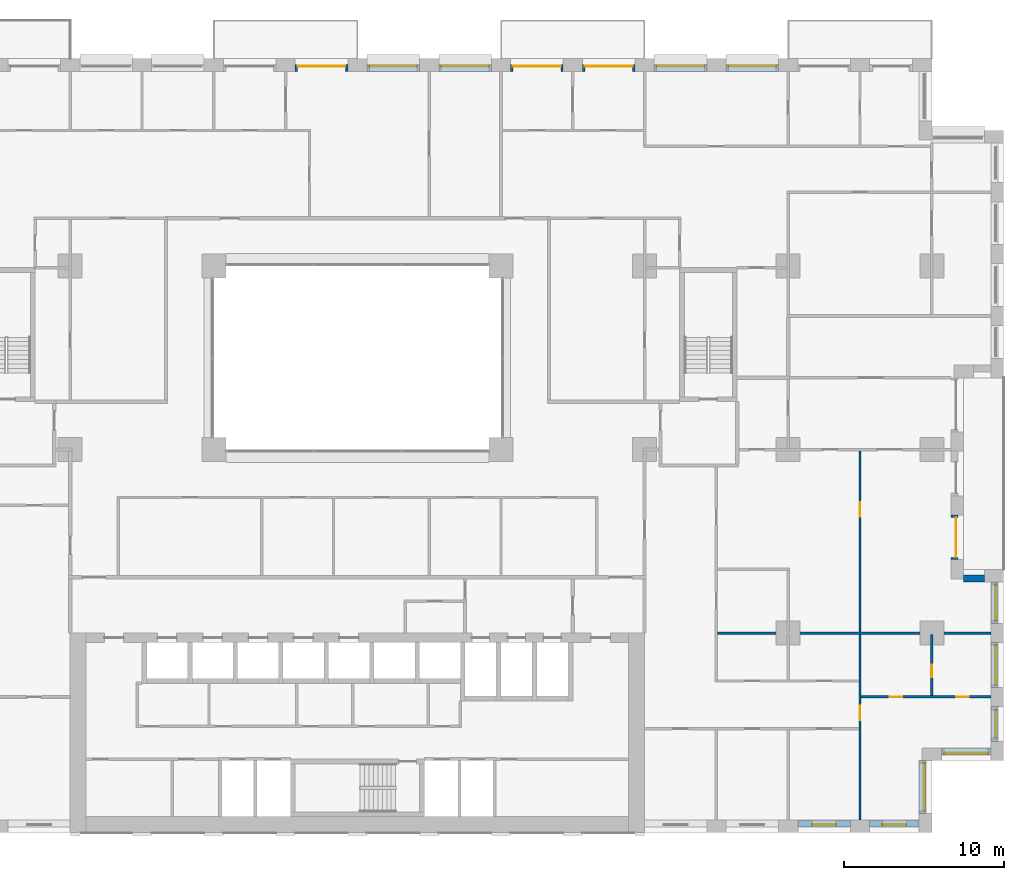
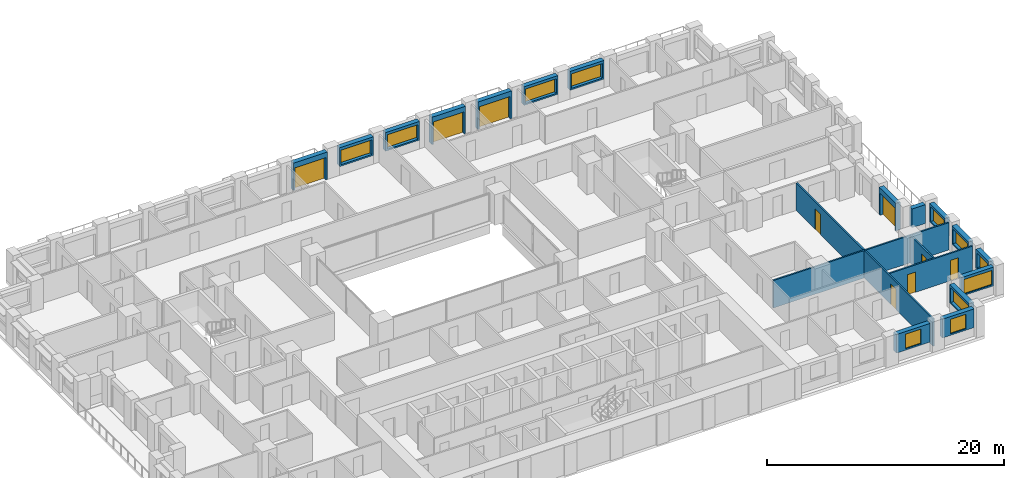
# One storey, part 17 of 21: 21 walls, 11 windows, 9 doors, 20 openings.
"""IFC4 building model written with IfcOpenShell, lengths in metres."""

from ifc_helpers import new_model, si_unit, direction, frame, frame_2d, origin, place, context, subcontext, project, spatial, rectangle, extrude, material, layer, layer_set, type_object, element, fill, save


model = new_model("IFC4")

# Units and contexts
model_context = context("Model", 3, precision=1e-05, world=origin(), true_north=direction((0.0, 1.0)))
body_context = subcontext(model_context, "Body", "Model", "MODEL_VIEW")
ifc_project = project(units=[si_unit("LENGTHUNIT", "METRE"), si_unit("AREAUNIT", "SQUARE_METRE"), si_unit("VOLUMEUNIT", "CUBIC_METRE"), si_unit("PLANEANGLEUNIT", "RADIAN"), si_unit("MASSUNIT", "GRAM", prefix="KILO")], contexts=[model_context])

# Site, building, storey
site_placement = place(None, origin())
site = spatial("IfcSite", under=ifc_project, at=site_placement, CompositionType="ELEMENT")
building_placement = place(site_placement, origin())
building = spatial("IfcBuilding", under=site, at=building_placement, Name="Brigalow Station Residences", CompositionType="ELEMENT")
storey_placement = place(building_placement, frame((0.0, 0.0, 51.0)))
storey = spatial("IfcBuildingStorey", under=building, at=storey_placement, Name="L14", CompositionType="ELEMENT", Elevation=51.0)

# Wall, opening, window
ifc_material_1 = material(Name="Clay brick masonry", Category="masonry")
ifc_layer_1 = layer(ifc_material_1, 0.449951171875)
ifc_layer_set_1 = layer_set([ifc_layer_1], Name="BRICK INFILL WALL 450")
wall_type_1 = type_object("IfcWallType", Name="BRICK INFILL WALL 450", PredefinedType="SOLIDWALL", material=ifc_layer_set_1)
wall_1_placement = place(storey_placement, frame((63.60009765625, 0.574951171875, 0.89990234375), z_axis=(0.0, 0.0, 1.0), x_axis=(1.0, 0.0, 0.0)))
wall_1 = element("IfcWall", 1, at=wall_1_placement, inside=storey, type_object=wall_type_1, Name="L14/ewall/W-L14-7", PredefinedType="SOLIDWALL", context=body_context, shape_type="SweptSolid", body=[
    extrude(rectangle(XDim=3.2998046875, YDim=0.449951171875, at=frame_2d((1.64990234375, 0.0))), origin(), (0.0, 0.0, 1.0), 1.93017578125),
])
opening_1_placement = place(wall_1_placement, frame((0.89990234375, 0.0, 0.14990234375)))
opening_1 = element("IfcOpeningElement", 2, at=opening_1_placement, cuts=wall_1, Name="Opening WT-1", PredefinedType="OPENING", context=body_context, shape_type="SweptSolid", body=[
    extrude(rectangle(XDim=1.5, YDim=1.5, at=frame_2d((0.75, 0.75))), frame((0.0, 0.23486328125, 0.0), z_axis=(0.0, -1.0, 0.0), x_axis=(1.0, 0.0, 0.0)), (0.0, 0.0, 1.0), 0.469970703125),
])
ifc_material_2 = material(Name="Anodised aluminium frame with double glazing", Category="aluminium")
window_type_1 = type_object("IfcWindowType", Name="WINDOW 1500x1500", PartitioningType="SINGLE_PANEL", PredefinedType="WINDOW", material=ifc_material_2)
window_1_placement = place(opening_1_placement, origin())
window_1 = element("IfcWindow", 3, at=window_1_placement, inside=storey, type_object=window_type_1, Name="L14/window/W-L14-7", OverallHeight=1.5, OverallWidth=1.5, PartitioningType="SINGLE_PANEL", PredefinedType="WINDOW", context=body_context, shape_type="SweptSolid", body=[
    extrude(rectangle(XDim=1.5, YDim=1.5, at=frame_2d((0.75, 0.75))), frame((0.0, -0.06494140625, 0.0), z_axis=(0.0, -1.0, 0.0), x_axis=(1.0, 0.0, 0.0)), (0.0, 0.0, 1.0), 0.06005859375),
])
fill(opening_1, window_1)

wall_2_placement = place(storey_placement, frame((68.10009765625, 0.574951171875, 0.89990234375), z_axis=(0.0, 0.0, 1.0), x_axis=(1.0, 0.0, 0.0)))
wall_2 = element("IfcWall", 4, at=wall_2_placement, inside=storey, type_object=wall_type_1, Name="L14/ewall/W-L14-8", PredefinedType="SOLIDWALL", context=body_context, shape_type="SweptSolid", body=[
    extrude(rectangle(XDim=3.099853515625, YDim=0.449951171875, at=frame_2d((1.5498046875, 0.0))), origin(), (0.0, 0.0, 1.0), 1.93017578125),
])
opening_2_placement = place(wall_2_placement, frame((0.800048828125, 0.0, 0.14990234375)))
opening_2 = element("IfcOpeningElement", 5, at=opening_2_placement, cuts=wall_2, Name="Opening WT-1", PredefinedType="OPENING", context=body_context, shape_type="SweptSolid", body=[
    extrude(rectangle(XDim=1.5, YDim=1.5, at=frame_2d((0.75, 0.75))), frame((0.0, 0.23486328125, 0.0), z_axis=(0.0, -1.0, 0.0), x_axis=(1.0, 0.0, 0.0)), (0.0, 0.0, 1.0), 0.469970703125),
])
window_2_placement = place(opening_2_placement, origin())
window_2 = element("IfcWindow", 6, at=window_2_placement, inside=storey, type_object=window_type_1, Name="L14/window/W-L14-8", OverallHeight=1.5, OverallWidth=1.5, PartitioningType="SINGLE_PANEL", PredefinedType="WINDOW", context=body_context, shape_type="SweptSolid", body=[
    extrude(rectangle(XDim=1.5, YDim=1.5, at=frame_2d((0.75, 0.75))), frame((0.0, -0.06494140625, 0.0), z_axis=(0.0, -1.0, 0.0), x_axis=(1.0, 0.0, 0.0)), (0.0, 0.0, 1.0), 0.06005859375),
])
fill(opening_2, window_2)

wall_3_placement = place(storey_placement, frame((71.425048828125, 1.199951171875, 0.89990234375), z_axis=(0.0, 0.0, 1.0), x_axis=(0.0, 1.0, 0.0)))
wall_3 = element("IfcWall", 7, at=wall_3_placement, inside=storey, type_object=wall_type_1, Name="L14/ewall/W-L14-9", PredefinedType="SOLIDWALL", context=body_context, shape_type="SweptSolid", body=[
    extrude(rectangle(XDim=3.300048828125, YDim=0.449951171875, at=frame_2d((1.64990234375, 0.0))), origin(), (0.0, 0.0, 1.0), 1.93017578125),
])
opening_3_placement = place(wall_3_placement, frame((0.14990234375, 0.0, 0.14990234375)))
opening_3 = element("IfcOpeningElement", 8, at=opening_3_placement, cuts=wall_3, Name="Opening WT-2", PredefinedType="OPENING", context=body_context, shape_type="SweptSolid", body=[
    extrude(rectangle(XDim=3.0, YDim=1.5, at=frame_2d((1.5, 0.75))), frame((0.0, 0.23486328125, 0.0), z_axis=(0.0, -1.0, 0.0), x_axis=(1.0, 0.0, 0.0)), (0.0, 0.0, 1.0), 0.469970703125),
])
ifc_material_3 = material(Name="Anodised aluminium frame with double glazing", Category="aluminium")
window_type_2 = type_object("IfcWindowType", Name="WINDOW 3000x1500", PartitioningType="SINGLE_PANEL", PredefinedType="WINDOW", material=ifc_material_3)
window_3_placement = place(opening_3_placement, origin())
window_3 = element("IfcWindow", 9, at=window_3_placement, inside=storey, type_object=window_type_2, Name="L14/window/W-L14-9", OverallHeight=1.5, OverallWidth=3.0, PartitioningType="SINGLE_PANEL", PredefinedType="WINDOW", context=body_context, shape_type="SweptSolid", body=[
    extrude(rectangle(XDim=3.0, YDim=1.5, at=frame_2d((1.5, 0.75))), frame((0.0, -0.06494140625, 0.0), z_axis=(0.0, -1.0, 0.0), x_axis=(1.0, 0.0, 0.0)), (0.0, 0.0, 1.0), 0.06005859375),
])
fill(opening_3, window_3)

wall_4_placement = place(storey_placement, frame((72.60009765625, 5.074951171875, 0.89990234375), z_axis=(0.0, 0.0, 1.0), x_axis=(1.0, 0.0, 0.0)))
wall_4 = element("IfcWall", 10, at=wall_4_placement, inside=storey, type_object=wall_type_1, Name="L14/ewall/W-L14-10", PredefinedType="SOLIDWALL", context=body_context, shape_type="SweptSolid", body=[
    extrude(rectangle(XDim=3.099853515625, YDim=0.449951171875, at=frame_2d((1.5498046875, 0.0))), origin(), (0.0, 0.0, 1.0), 1.93017578125),
])
opening_4_placement = place(wall_4_placement, frame((0.175048828125, 0.0, 0.14990234375)))
opening_4 = element("IfcOpeningElement", 11, at=opening_4_placement, cuts=wall_4, Name="Opening WT-3", PredefinedType="OPENING", context=body_context, shape_type="SweptSolid", body=[
    extrude(rectangle(XDim=2.75, YDim=1.5, at=frame_2d((1.375, 0.75))), frame((0.0, 0.23486328125, 0.0), z_axis=(0.0, -1.0, 0.0), x_axis=(1.0, 0.0, 0.0)), (0.0, 0.0, 1.0), 0.469970703125),
])
ifc_material_4 = material(Name="Anodised aluminium frame with double glazing", Category="aluminium")
window_type_3 = type_object("IfcWindowType", Name="WINDOW 2750x1500", PartitioningType="SINGLE_PANEL", PredefinedType="WINDOW", material=ifc_material_4)
window_4_placement = place(opening_4_placement, origin())
window_4 = element("IfcWindow", 12, at=window_4_placement, inside=storey, type_object=window_type_3, Name="L14/window/W-L14-10", OverallHeight=1.5, OverallWidth=2.75, PartitioningType="SINGLE_PANEL", PredefinedType="WINDOW", context=body_context, shape_type="SweptSolid", body=[
    extrude(rectangle(XDim=2.75, YDim=1.5, at=frame_2d((1.375, 0.75))), frame((0.0, -0.06494140625, 0.0), z_axis=(0.0, -1.0, 0.0), x_axis=(1.0, 0.0, 0.0)), (0.0, 0.0, 1.0), 0.06005859375),
])
fill(opening_4, window_4)

wall_5_placement = place(storey_placement, frame((75.925048828125, 5.699951171875, 0.89990234375), z_axis=(0.0, 0.0, 1.0), x_axis=(0.0, 1.0, 0.0)))
wall_5 = element("IfcWall", 13, at=wall_5_placement, inside=storey, type_object=wall_type_1, Name="L14/ewall/W-L14-11", PredefinedType="SOLIDWALL", context=body_context, shape_type="SweptSolid", body=[
    extrude(rectangle(XDim=2.199951171875, YDim=0.449951171875, at=frame_2d((1.10009765625, 0.0))), origin(), (0.0, 0.0, 1.0), 1.93017578125),
])
opening_5_placement = place(wall_5_placement, frame((0.22509765625, 0.0, 0.14990234375)))
opening_5 = element("IfcOpeningElement", 14, at=opening_5_placement, cuts=wall_5, Name="Opening WT-4", PredefinedType="OPENING", context=body_context, shape_type="SweptSolid", body=[
    extrude(rectangle(XDim=1.75, YDim=1.5, at=frame_2d((0.875, 0.75))), frame((0.0, 0.23486328125, 0.0), z_axis=(0.0, -1.0, 0.0), x_axis=(1.0, 0.0, 0.0)), (0.0, 0.0, 1.0), 0.469970703125),
])
ifc_material_5 = material(Name="Anodised aluminium frame with double glazing", Category="aluminium")
window_type_4 = type_object("IfcWindowType", Name="WINDOW 1750x1500", PartitioningType="SINGLE_PANEL", PredefinedType="WINDOW", material=ifc_material_5)
window_5_placement = place(opening_5_placement, origin())
window_5 = element("IfcWindow", 15, at=window_5_placement, inside=storey, type_object=window_type_4, Name="L14/window/W-L14-11", OverallHeight=1.5, OverallWidth=1.75, PartitioningType="SINGLE_PANEL", PredefinedType="WINDOW", context=body_context, shape_type="SweptSolid", body=[
    extrude(rectangle(XDim=1.75, YDim=1.5, at=frame_2d((0.875, 0.75))), frame((0.0, -0.06494140625, 0.0), z_axis=(0.0, -1.0, 0.0), x_axis=(1.0, 0.0, 0.0)), (0.0, 0.0, 1.0), 0.06005859375),
])
fill(opening_5, window_5)

wall_6_placement = place(storey_placement, frame((75.925048828125, 9.10009765625, 0.89990234375), z_axis=(0.0, 0.0, 1.0), x_axis=(0.0, 1.0, 0.0)))
wall_6 = element("IfcWall", 16, at=wall_6_placement, inside=storey, type_object=wall_type_1, Name="L14/ewall/W-L14-12", PredefinedType="SOLIDWALL", context=body_context, shape_type="SweptSolid", body=[
    extrude(rectangle(XDim=2.7998046875, YDim=0.449951171875, at=frame_2d((1.39990234375, 0.0))), origin(), (0.0, 0.0, 1.0), 1.93017578125),
])
opening_6_placement = place(wall_6_placement, frame((0.14990234375, 0.0, 0.14990234375)))
opening_6 = element("IfcOpeningElement", 17, at=opening_6_placement, cuts=wall_6, Name="Opening WT-5", PredefinedType="OPENING", context=body_context, shape_type="SweptSolid", body=[
    extrude(rectangle(XDim=2.5, YDim=1.5, at=frame_2d((1.25, 0.75))), frame((0.0, 0.23486328125, 0.0), z_axis=(0.0, -1.0, 0.0), x_axis=(1.0, 0.0, 0.0)), (0.0, 0.0, 1.0), 0.469970703125),
])
ifc_material_6 = material(Name="Anodised aluminium frame with double glazing", Category="aluminium")
window_type_5 = type_object("IfcWindowType", Name="WINDOW 2500x1500", PartitioningType="SINGLE_PANEL", PredefinedType="WINDOW", material=ifc_material_6)
window_6_placement = place(opening_6_placement, origin())
window_6 = element("IfcWindow", 18, at=window_6_placement, inside=storey, type_object=window_type_5, Name="L14/window/W-L14-12", OverallHeight=1.5, OverallWidth=2.5, PartitioningType="SINGLE_PANEL", PredefinedType="WINDOW", context=body_context, shape_type="SweptSolid", body=[
    extrude(rectangle(XDim=2.5, YDim=1.5, at=frame_2d((1.25, 0.75))), frame((0.0, -0.06494140625, 0.0), z_axis=(0.0, -1.0, 0.0), x_axis=(1.0, 0.0, 0.0)), (0.0, 0.0, 1.0), 0.06005859375),
])
fill(opening_6, window_6)

wall_7_placement = place(storey_placement, frame((75.925048828125, 13.10009765625, 0.89990234375), z_axis=(0.0, 0.0, 1.0), x_axis=(0.0, 1.0, 0.0)))
wall_7 = element("IfcWall", 19, at=wall_7_placement, inside=storey, type_object=wall_type_1, Name="L14/ewall/W-L14-13", PredefinedType="SOLIDWALL", context=body_context, shape_type="SweptSolid", body=[
    extrude(rectangle(XDim=2.599853515625, YDim=0.449951171875, at=frame_2d((1.2998046875, 0.0))), origin(), (0.0, 0.0, 1.0), 1.93017578125),
])
opening_7_placement = place(wall_7_placement, frame((0.175048828125, 0.0, 0.14990234375)))
opening_7 = element("IfcOpeningElement", 20, at=opening_7_placement, cuts=wall_7, Name="Opening WT-6", PredefinedType="OPENING", context=body_context, shape_type="SweptSolid", body=[
    extrude(rectangle(XDim=2.25, YDim=1.5, at=frame_2d((1.125, 0.75))), frame((0.0, 0.23486328125, 0.0), z_axis=(0.0, -1.0, 0.0), x_axis=(1.0, 0.0, 0.0)), (0.0, 0.0, 1.0), 0.469970703125),
])
ifc_material_7 = material(Name="Anodised aluminium frame with double glazing", Category="aluminium")
window_type_6 = type_object("IfcWindowType", Name="WINDOW 2250x1500", PartitioningType="SINGLE_PANEL", PredefinedType="WINDOW", material=ifc_material_7)
window_7_placement = place(opening_7_placement, origin())
window_7 = element("IfcWindow", 21, at=window_7_placement, inside=storey, type_object=window_type_6, Name="L14/window/W-L14-13", OverallHeight=1.5, OverallWidth=2.25, PartitioningType="SINGLE_PANEL", PredefinedType="WINDOW", context=body_context, shape_type="SweptSolid", body=[
    extrude(rectangle(XDim=2.25, YDim=1.5, at=frame_2d((1.125, 0.75))), frame((0.0, -0.06494140625, 0.0), z_axis=(0.0, -1.0, 0.0), x_axis=(1.0, 0.0, 0.0)), (0.0, 0.0, 1.0), 0.06005859375),
])
fill(opening_7, window_7)

# Wall
wall_8_placement = place(storey_placement, frame((75.300048828125, 15.925048828125, 0.89990234375), z_axis=(0.0, 0.0, 1.0), x_axis=(-1.0, 0.0, 0.0)))
element("IfcWall", 22, at=wall_8_placement, inside=storey, type_object=wall_type_1, Name="L14/ewall/W-L14-14", PredefinedType="SOLIDWALL", context=body_context, shape_type="SweptSolid", body=[
    extrude(rectangle(XDim=1.300048828125, YDim=0.449951171875, at=frame_2d((0.64990234375, 0.0))), origin(), (0.0, 0.0, 1.0), 1.93017578125),
])

# Wall, opening, door
wall_9_placement = place(storey_placement, frame((73.425048828125, 17.10009765625, 0.0), z_axis=(0.0, 0.0, 1.0), x_axis=(0.0, 1.0, 0.0)))
wall_9 = element("IfcWall", 23, at=wall_9_placement, inside=storey, type_object=wall_type_1, Name="L14/ewall/W-L14-15", PredefinedType="SOLIDWALL", context=body_context, shape_type="SweptSolid", body=[
    extrude(rectangle(XDim=2.7998046875, YDim=0.449951171875, at=frame_2d((1.39990234375, 0.0))), origin(), (0.0, 0.0, 1.0), 2.830078125),
])
opening_8_placement = place(wall_9_placement, frame((0.14990234375, 0.0, 0.0)))
opening_8 = element("IfcOpeningElement", 24, at=opening_8_placement, cuts=wall_9, Name="Opening D-B2500", PredefinedType="OPENING", context=body_context, shape_type="SweptSolid", body=[
    extrude(rectangle(XDim=2.5, YDim=2.300048828125, at=frame_2d((1.25, 1.14990234375))), frame((0.0, 0.23486328125, 0.0), z_axis=(0.0, -1.0, 0.0), x_axis=(1.0, 0.0, 0.0)), (0.0, 0.0, 1.0), 0.469970703125),
])
ifc_material_8 = material(Name="Anodised aluminium frame with double glazing", Category="aluminium")
door_type_1 = type_object("IfcDoorType", Name="BALCONY SLIDING DOOR 2500x2300", OperationType="SLIDING_TO_LEFT", PredefinedType="DOOR", material=ifc_material_8)
door_1_placement = place(opening_8_placement, origin())
door_1 = element("IfcDoor", 25, at=door_1_placement, inside=storey, type_object=door_type_1, Name="L14/balcony-door/W-L14-15", OperationType="SLIDING_TO_LEFT", OverallHeight=2.300048828125, OverallWidth=2.5, PredefinedType="DOOR", context=body_context, shape_type="SweptSolid", body=[
    extrude(rectangle(XDim=2.5, YDim=2.300048828125, at=frame_2d((1.25, 1.14990234375))), frame((0.0, -0.06982421875, 0.0), z_axis=(0.0, -1.0, 0.0), x_axis=(1.0, 0.0, 0.0)), (0.0, 0.0, 1.0), 0.050048828125),
])
fill(opening_8, door_1)

# Wall, opening, window
wall_10_placement = place(storey_placement, frame((62.39990234375, 47.925048828125, 0.89990234375), z_axis=(0.0, 0.0, 1.0), x_axis=(-1.0, 0.0, 0.0)))
wall_10 = element("IfcWall", 26, at=wall_10_placement, inside=storey, type_object=wall_type_1, Name="L14/ewall/W-L14-27", PredefinedType="SOLIDWALL", context=body_context, shape_type="SweptSolid", body=[
    extrude(rectangle(XDim=3.2998046875, YDim=0.449951171875, at=frame_2d((1.64990234375, 0.0))), origin(), (0.0, 0.0, 1.0), 1.93017578125),
])
opening_9_placement = place(wall_10_placement, frame((0.14990234375, 0.0, 0.14990234375)))
opening_9 = element("IfcOpeningElement", 27, at=opening_9_placement, cuts=wall_10, Name="Opening WT-2", PredefinedType="OPENING", context=body_context, shape_type="SweptSolid", body=[
    extrude(rectangle(XDim=3.0, YDim=1.5, at=frame_2d((1.5, 0.75))), frame((0.0, 0.23486328125, 0.0), z_axis=(0.0, -1.0, 0.0), x_axis=(1.0, 0.0, 0.0)), (0.0, 0.0, 1.0), 0.469970703125),
])
window_8_placement = place(opening_9_placement, origin())
window_8 = element("IfcWindow", 28, at=window_8_placement, inside=storey, type_object=window_type_2, Name="L14/window/W-L14-27", OverallHeight=1.5, OverallWidth=3.0, PartitioningType="SINGLE_PANEL", PredefinedType="WINDOW", context=body_context, shape_type="SweptSolid", body=[
    extrude(rectangle(XDim=3.0, YDim=1.5, at=frame_2d((1.5, 0.75))), frame((0.0, -0.06494140625, 0.0), z_axis=(0.0, -1.0, 0.0), x_axis=(1.0, 0.0, 0.0)), (0.0, 0.0, 1.0), 0.06005859375),
])
fill(opening_9, window_8)

wall_11_placement = place(storey_placement, frame((57.89990234375, 47.925048828125, 0.89990234375), z_axis=(0.0, 0.0, 1.0), x_axis=(-1.0, 0.0, 0.0)))
wall_11 = element("IfcWall", 29, at=wall_11_placement, inside=storey, type_object=wall_type_1, Name="L14/ewall/W-L14-28", PredefinedType="SOLIDWALL", context=body_context, shape_type="SweptSolid", body=[
    extrude(rectangle(XDim=3.2998046875, YDim=0.449951171875, at=frame_2d((1.64990234375, 0.0))), origin(), (0.0, 0.0, 1.0), 1.93017578125),
])
opening_10_placement = place(wall_11_placement, frame((0.14990234375, 0.0, 0.14990234375)))
opening_10 = element("IfcOpeningElement", 30, at=opening_10_placement, cuts=wall_11, Name="Opening WT-2", PredefinedType="OPENING", context=body_context, shape_type="SweptSolid", body=[
    extrude(rectangle(XDim=3.0, YDim=1.5, at=frame_2d((1.5, 0.75))), frame((0.0, 0.23486328125, 0.0), z_axis=(0.0, -1.0, 0.0), x_axis=(1.0, 0.0, 0.0)), (0.0, 0.0, 1.0), 0.469970703125),
])
window_9_placement = place(opening_10_placement, origin())
window_9 = element("IfcWindow", 31, at=window_9_placement, inside=storey, type_object=window_type_2, Name="L14/window/W-L14-28", OverallHeight=1.5, OverallWidth=3.0, PartitioningType="SINGLE_PANEL", PredefinedType="WINDOW", context=body_context, shape_type="SweptSolid", body=[
    extrude(rectangle(XDim=3.0, YDim=1.5, at=frame_2d((1.5, 0.75))), frame((0.0, -0.06494140625, 0.0), z_axis=(0.0, -1.0, 0.0), x_axis=(1.0, 0.0, 0.0)), (0.0, 0.0, 1.0), 0.06005859375),
])
fill(opening_10, window_9)

# Wall, opening, door
wall_12_placement = place(storey_placement, frame((53.39990234375, 47.925048828125, 0.0), z_axis=(0.0, 0.0, 1.0), x_axis=(-1.0, 0.0, 0.0)))
wall_12 = element("IfcWall", 32, at=wall_12_placement, inside=storey, type_object=wall_type_1, Name="L14/ewall/W-L14-29", PredefinedType="SOLIDWALL", context=body_context, shape_type="SweptSolid", body=[
    extrude(rectangle(XDim=3.2998046875, YDim=0.449951171875, at=frame_2d((1.64990234375, 0.0))), origin(), (0.0, 0.0, 1.0), 2.830078125),
])
opening_11_placement = place(wall_12_placement, frame((0.14990234375, 0.0, 0.0)))
opening_11 = element("IfcOpeningElement", 33, at=opening_11_placement, cuts=wall_12, Name="Opening D-B3000", PredefinedType="OPENING", context=body_context, shape_type="SweptSolid", body=[
    extrude(rectangle(XDim=3.0, YDim=2.300048828125, at=frame_2d((1.5, 1.14990234375))), frame((0.0, 0.23486328125, 0.0), z_axis=(0.0, -1.0, 0.0), x_axis=(1.0, 0.0, 0.0)), (0.0, 0.0, 1.0), 0.469970703125),
])
ifc_material_9 = material(Name="Anodised aluminium frame with double glazing", Category="aluminium")
door_type_2 = type_object("IfcDoorType", Name="BALCONY SLIDING DOOR 3000x2300", OperationType="SLIDING_TO_LEFT", PredefinedType="DOOR", material=ifc_material_9)
door_2_placement = place(opening_11_placement, origin())
door_2 = element("IfcDoor", 34, at=door_2_placement, inside=storey, type_object=door_type_2, Name="L14/balcony-door/W-L14-29", OperationType="SLIDING_TO_LEFT", OverallHeight=2.300048828125, OverallWidth=3.0, PredefinedType="DOOR", context=body_context, shape_type="SweptSolid", body=[
    extrude(rectangle(XDim=3.0, YDim=2.300048828125, at=frame_2d((1.5, 1.14990234375))), frame((0.0, -0.06982421875, 0.0), z_axis=(0.0, -1.0, 0.0), x_axis=(1.0, 0.0, 0.0)), (0.0, 0.0, 1.0), 0.050048828125),
])
fill(opening_11, door_2)

wall_13_placement = place(storey_placement, frame((48.89990234375, 47.925048828125, 0.0), z_axis=(0.0, 0.0, 1.0), x_axis=(-1.0, 0.0, 0.0)))
wall_13 = element("IfcWall", 35, at=wall_13_placement, inside=storey, type_object=wall_type_1, Name="L14/ewall/W-L14-30", PredefinedType="SOLIDWALL", context=body_context, shape_type="SweptSolid", body=[
    extrude(rectangle(XDim=3.2998046875, YDim=0.449951171875, at=frame_2d((1.64990234375, 0.0))), origin(), (0.0, 0.0, 1.0), 2.830078125),
])
opening_12_placement = place(wall_13_placement, frame((0.14990234375, 0.0, 0.0)))
opening_12 = element("IfcOpeningElement", 36, at=opening_12_placement, cuts=wall_13, Name="Opening D-B3000", PredefinedType="OPENING", context=body_context, shape_type="SweptSolid", body=[
    extrude(rectangle(XDim=3.0, YDim=2.300048828125, at=frame_2d((1.5, 1.14990234375))), frame((0.0, 0.23486328125, 0.0), z_axis=(0.0, -1.0, 0.0), x_axis=(1.0, 0.0, 0.0)), (0.0, 0.0, 1.0), 0.469970703125),
])
door_3_placement = place(opening_12_placement, origin())
door_3 = element("IfcDoor", 37, at=door_3_placement, inside=storey, type_object=door_type_2, Name="L14/balcony-door/W-L14-30", OperationType="SLIDING_TO_LEFT", OverallHeight=2.300048828125, OverallWidth=3.0, PredefinedType="DOOR", context=body_context, shape_type="SweptSolid", body=[
    extrude(rectangle(XDim=3.0, YDim=2.300048828125, at=frame_2d((1.5, 1.14990234375))), frame((0.0, -0.06982421875, 0.0), z_axis=(0.0, -1.0, 0.0), x_axis=(1.0, 0.0, 0.0)), (0.0, 0.0, 1.0), 0.050048828125),
])
fill(opening_12, door_3)

# Wall, opening, window
wall_14_placement = place(storey_placement, frame((44.39990234375, 47.925048828125, 0.89990234375), z_axis=(0.0, 0.0, 1.0), x_axis=(-1.0, 0.0, 0.0)))
wall_14 = element("IfcWall", 38, at=wall_14_placement, inside=storey, type_object=wall_type_1, Name="L14/ewall/W-L14-31", PredefinedType="SOLIDWALL", context=body_context, shape_type="SweptSolid", body=[
    extrude(rectangle(XDim=3.2998046875, YDim=0.449951171875, at=frame_2d((1.64990234375, 0.0))), origin(), (0.0, 0.0, 1.0), 1.93017578125),
])
opening_13_placement = place(wall_14_placement, frame((0.14990234375, 0.0, 0.14990234375)))
opening_13 = element("IfcOpeningElement", 39, at=opening_13_placement, cuts=wall_14, Name="Opening WT-2", PredefinedType="OPENING", context=body_context, shape_type="SweptSolid", body=[
    extrude(rectangle(XDim=3.0, YDim=1.5, at=frame_2d((1.5, 0.75))), frame((0.0, 0.23486328125, 0.0), z_axis=(0.0, -1.0, 0.0), x_axis=(1.0, 0.0, 0.0)), (0.0, 0.0, 1.0), 0.469970703125),
])
window_10_placement = place(opening_13_placement, origin())
window_10 = element("IfcWindow", 40, at=window_10_placement, inside=storey, type_object=window_type_2, Name="L14/window/W-L14-31", OverallHeight=1.5, OverallWidth=3.0, PartitioningType="SINGLE_PANEL", PredefinedType="WINDOW", context=body_context, shape_type="SweptSolid", body=[
    extrude(rectangle(XDim=3.0, YDim=1.5, at=frame_2d((1.5, 0.75))), frame((0.0, -0.06494140625, 0.0), z_axis=(0.0, -1.0, 0.0), x_axis=(1.0, 0.0, 0.0)), (0.0, 0.0, 1.0), 0.06005859375),
])
fill(opening_13, window_10)

wall_15_placement = place(storey_placement, frame((39.89990234375, 47.925048828125, 0.89990234375), z_axis=(0.0, 0.0, 1.0), x_axis=(-1.0, 0.0, 0.0)))
wall_15 = element("IfcWall", 41, at=wall_15_placement, inside=storey, type_object=wall_type_1, Name="L14/ewall/W-L14-32", PredefinedType="SOLIDWALL", context=body_context, shape_type="SweptSolid", body=[
    extrude(rectangle(XDim=3.2998046875, YDim=0.449951171875, at=frame_2d((1.64990234375, 0.0))), origin(), (0.0, 0.0, 1.0), 1.93017578125),
])
opening_14_placement = place(wall_15_placement, frame((0.14990234375, 0.0, 0.14990234375)))
opening_14 = element("IfcOpeningElement", 42, at=opening_14_placement, cuts=wall_15, Name="Opening WT-2", PredefinedType="OPENING", context=body_context, shape_type="SweptSolid", body=[
    extrude(rectangle(XDim=3.0, YDim=1.5, at=frame_2d((1.5, 0.75))), frame((0.0, 0.23486328125, 0.0), z_axis=(0.0, -1.0, 0.0), x_axis=(1.0, 0.0, 0.0)), (0.0, 0.0, 1.0), 0.469970703125),
])
window_11_placement = place(opening_14_placement, origin())
window_11 = element("IfcWindow", 43, at=window_11_placement, inside=storey, type_object=window_type_2, Name="L14/window/W-L14-32", OverallHeight=1.5, OverallWidth=3.0, PartitioningType="SINGLE_PANEL", PredefinedType="WINDOW", context=body_context, shape_type="SweptSolid", body=[
    extrude(rectangle(XDim=3.0, YDim=1.5, at=frame_2d((1.5, 0.75))), frame((0.0, -0.06494140625, 0.0), z_axis=(0.0, -1.0, 0.0), x_axis=(1.0, 0.0, 0.0)), (0.0, 0.0, 1.0), 0.06005859375),
])
fill(opening_14, window_11)

# Wall, opening, door
wall_16_placement = place(storey_placement, frame((35.39990234375, 47.925048828125, 0.0), z_axis=(0.0, 0.0, 1.0), x_axis=(-1.0, 0.0, 0.0)))
wall_16 = element("IfcWall", 44, at=wall_16_placement, inside=storey, type_object=wall_type_1, Name="L14/ewall/W-L14-33", PredefinedType="SOLIDWALL", context=body_context, shape_type="SweptSolid", body=[
    extrude(rectangle(XDim=3.2998046875, YDim=0.449951171875, at=frame_2d((1.64990234375, 0.0))), origin(), (0.0, 0.0, 1.0), 2.830078125),
])
opening_15_placement = place(wall_16_placement, frame((0.14990234375, 0.0, 0.0)))
opening_15 = element("IfcOpeningElement", 45, at=opening_15_placement, cuts=wall_16, Name="Opening D-B3000", PredefinedType="OPENING", context=body_context, shape_type="SweptSolid", body=[
    extrude(rectangle(XDim=3.0, YDim=2.300048828125, at=frame_2d((1.5, 1.14990234375))), frame((0.0, 0.23486328125, 0.0), z_axis=(0.0, -1.0, 0.0), x_axis=(1.0, 0.0, 0.0)), (0.0, 0.0, 1.0), 0.469970703125),
])
door_4_placement = place(opening_15_placement, origin())
door_4 = element("IfcDoor", 46, at=door_4_placement, inside=storey, type_object=door_type_2, Name="L14/balcony-door/W-L14-33", OperationType="SLIDING_TO_LEFT", OverallHeight=2.300048828125, OverallWidth=3.0, PredefinedType="DOOR", context=body_context, shape_type="SweptSolid", body=[
    extrude(rectangle(XDim=3.0, YDim=2.300048828125, at=frame_2d((1.5, 1.14990234375))), frame((0.0, -0.06982421875, 0.0), z_axis=(0.0, -1.0, 0.0), x_axis=(1.0, 0.0, 0.0)), (0.0, 0.0, 1.0), 0.050048828125),
])
fill(opening_15, door_4)

# Wall, openings, doors
ifc_material_10 = material(Name="Plasterboard on steel stud partition", Category="steel")
ifc_layer_2 = layer(ifc_material_10, 0.14990234375)
ifc_layer_set_2 = layer_set([ifc_layer_2], Name="FLAT PARTITION 150")
wall_type_2 = type_object("IfcWallType", Name="FLAT PARTITION 150", PredefinedType="PARTITIONING", material=ifc_layer_set_2)
wall_17_placement = place(storey_placement, frame((67.574951171875, 8.5, 0.0), z_axis=(0.0, 0.0, 1.0), x_axis=(1.0, 0.0, 0.0)))
wall_17 = element("IfcWall", 47, at=wall_17_placement, inside=storey, type_object=wall_type_2, Name="PW-1D12", PredefinedType="PARTITIONING", context=body_context, shape_type="SweptSolid", body=[
    extrude(rectangle(XDim=8.125, YDim=0.14990234375, at=frame_2d((4.0625, 0.0))), origin(), (0.0, 0.0, 1.0), 2.830078125),
])
opening_16_placement = place(wall_17_placement, frame((5.949951171875, 0.0, 0.0)))
opening_16 = element("IfcOpeningElement", 48, at=opening_16_placement, cuts=wall_17, Name="Opening D-1D57", PredefinedType="OPENING", context=body_context, shape_type="SweptSolid", body=[
    extrude(rectangle(XDim=0.800048828125, YDim=2.10009765625, at=frame_2d((0.39990234375, 1.050048828125))), frame((0.0, 0.0849609375, 0.0), z_axis=(0.0, -1.0, 0.0), x_axis=(1.0, 0.0, 0.0)), (0.0, 0.0, 1.0), 0.169921875),
])
opening_17_placement = place(wall_17_placement, frame((1.77490234375, 0.0, 0.0)))
opening_17 = element("IfcOpeningElement", 49, at=opening_17_placement, cuts=wall_17, Name="Opening D-1D65", PredefinedType="OPENING", context=body_context, shape_type="SweptSolid", body=[
    extrude(rectangle(XDim=0.800048828125, YDim=2.10009765625, at=frame_2d((0.39990234375, 1.050048828125))), frame((0.0, 0.0849609375, 0.0), z_axis=(0.0, -1.0, 0.0), x_axis=(1.0, 0.0, 0.0)), (0.0, 0.0, 1.0), 0.169921875),
])
ifc_material_11 = material(Name="Solid-core timber door leaf", Category="wood")
door_type_3 = type_object("IfcDoorType", Name="INTERNAL DOOR 800 x 2100", OperationType="SINGLE_SWING_LEFT", PredefinedType="DOOR", material=ifc_material_11)
door_5_placement = place(opening_16_placement, origin())
door_5 = element("IfcDoor", 50, at=door_5_placement, inside=storey, type_object=door_type_3, Name="D-1D57", OperationType="SINGLE_SWING_RIGHT", OverallHeight=2.10009765625, OverallWidth=0.800048828125, PredefinedType="DOOR", context=body_context, shape_type="SweptSolid", body=[
    extrude(rectangle(XDim=0.800048828125, YDim=2.10009765625, at=frame_2d((0.39990234375, 1.050048828125))), frame((0.0, 0.02490234375, 0.0), z_axis=(0.0, -1.0, 0.0), x_axis=(1.0, 0.0, 0.0)), (0.0, 0.0, 1.0), 0.050048828125),
])
fill(opening_16, door_5)
door_6_placement = place(opening_17_placement, origin())
door_6 = element("IfcDoor", 51, at=door_6_placement, inside=storey, type_object=door_type_3, Name="D-1D65", OperationType="SINGLE_SWING_LEFT", OverallHeight=2.10009765625, OverallWidth=0.800048828125, PredefinedType="DOOR", context=body_context, shape_type="SweptSolid", body=[
    extrude(rectangle(XDim=0.800048828125, YDim=2.10009765625, at=frame_2d((0.39990234375, 1.050048828125))), frame((0.0, 0.02490234375, 0.0), z_axis=(0.0, -1.0, 0.0), x_axis=(1.0, 0.0, 0.0)), (0.0, 0.0, 1.0), 0.050048828125),
])
fill(opening_17, door_6)

# Wall
wall_18_placement = place(storey_placement, frame((58.574951171875, 12.5, 0.0), z_axis=(0.0, 0.0, 1.0), x_axis=(1.0, 0.0, 0.0)))
element("IfcWall", 52, at=wall_18_placement, inside=storey, type_object=wall_type_2, Name="PW-1D14", PredefinedType="PARTITIONING", context=body_context, shape_type="SweptSolid", body=[
    extrude(rectangle(XDim=17.125, YDim=0.14990234375, at=frame_2d((8.5625, 0.0))), origin(), (0.0, 0.0, 1.0), 2.830078125),
])

# Wall, opening, door
wall_19_placement = place(storey_placement, frame((72.0, 8.574951171875, 0.0), z_axis=(0.0, 0.0, 1.0), x_axis=(0.0, 1.0, 0.0)))
wall_19 = element("IfcWall", 53, at=wall_19_placement, inside=storey, type_object=wall_type_2, Name="PW-1D75", PredefinedType="PARTITIONING", context=body_context, shape_type="SweptSolid", body=[
    extrude(rectangle(XDim=3.85009765625, YDim=0.14990234375, at=frame_2d((1.925048828125, 0.0))), origin(), (0.0, 0.0, 1.0), 2.830078125),
])
opening_18_placement = place(wall_19_placement, frame((1.14990234375, 0.0, 0.0)))
opening_18 = element("IfcOpeningElement", 54, at=opening_18_placement, cuts=wall_19, Name="Opening D-1D58", PredefinedType="OPENING", context=body_context, shape_type="SweptSolid", body=[
    extrude(rectangle(XDim=0.800048828125, YDim=2.10009765625, at=frame_2d((0.39990234375, 1.050048828125))), frame((0.0, 0.0849609375, 0.0), z_axis=(0.0, -1.0, 0.0), x_axis=(1.0, 0.0, 0.0)), (0.0, 0.0, 1.0), 0.169921875),
])
door_7_placement = place(opening_18_placement, frame((0.800048828125, 0.0, 0.0), z_axis=(0.0, 0.0, 1.0), x_axis=(-1.0, 0.0, 0.0)))
door_7 = element("IfcDoor", 55, at=door_7_placement, inside=storey, type_object=door_type_3, Name="D-1D58", OperationType="SINGLE_SWING_RIGHT", OverallHeight=2.10009765625, OverallWidth=0.800048828125, PredefinedType="DOOR", context=body_context, shape_type="SweptSolid", body=[
    extrude(rectangle(XDim=0.800048828125, YDim=2.10009765625, at=frame_2d((0.39990234375, 1.050048828125))), frame((0.0, 0.02490234375, 0.0), z_axis=(0.0, -1.0, 0.0), x_axis=(1.0, 0.0, 0.0)), (0.0, 0.0, 1.0), 0.050048828125),
])
fill(opening_18, door_7)

wall_20_placement = place(storey_placement, frame((67.5, 0.800048828125, 0.0), z_axis=(0.0, 0.0, 1.0), x_axis=(0.0, 1.0, 0.0)))
wall_20 = element("IfcWall", 56, at=wall_20_placement, inside=storey, type_object=wall_type_2, Name="PW-1D79", PredefinedType="PARTITIONING", context=body_context, shape_type="SweptSolid", body=[
    extrude(rectangle(XDim=11.625, YDim=0.14990234375, at=frame_2d((5.8125, 0.0))), origin(), (0.0, 0.0, 1.0), 2.830078125),
])
opening_19_placement = place(wall_20_placement, frame((6.25, 0.0, 0.0)))
opening_19 = element("IfcOpeningElement", 57, at=opening_19_placement, cuts=wall_20, Name="Opening D-1D61", PredefinedType="OPENING", context=body_context, shape_type="SweptSolid", body=[
    extrude(rectangle(XDim=0.89990234375, YDim=2.10009765625, at=frame_2d((0.449951171875, 1.050048828125))), frame((0.0, 0.0849609375, 0.0), z_axis=(0.0, -1.0, 0.0), x_axis=(1.0, 0.0, 0.0)), (0.0, 0.0, 1.0), 0.169921875),
])
ifc_material_12 = material(Name="Solid-core timber door leaf", Category="wood")
door_type_4 = type_object("IfcDoorType", Name="INTERNAL DOOR 900 x 2100", OperationType="SINGLE_SWING_LEFT", PredefinedType="DOOR", material=ifc_material_12)
door_8_placement = place(opening_19_placement, frame((0.89990234375, 0.0, 0.0), z_axis=(0.0, 0.0, 1.0), x_axis=(-1.0, 0.0, 0.0)))
door_8 = element("IfcDoor", 58, at=door_8_placement, inside=storey, type_object=door_type_4, Name="D-1D61", OperationType="SINGLE_SWING_LEFT", OverallHeight=2.10009765625, OverallWidth=0.89990234375, PredefinedType="DOOR", context=body_context, shape_type="SweptSolid", body=[
    extrude(rectangle(XDim=0.89990234375, YDim=2.10009765625, at=frame_2d((0.449951171875, 1.050048828125))), frame((0.0, 0.02490234375, 0.0), z_axis=(0.0, -1.0, 0.0), x_axis=(1.0, 0.0, 0.0)), (0.0, 0.0, 1.0), 0.050048828125),
])
fill(opening_19, door_8)

wall_21_placement = place(storey_placement, frame((67.5, 12.574951171875, 0.0), z_axis=(0.0, 0.0, 1.0), x_axis=(0.0, 1.0, 0.0)))
wall_21 = element("IfcWall", 59, at=wall_21_placement, inside=storey, type_object=wall_type_2, Name="PW-1D80", PredefinedType="PARTITIONING", context=body_context, shape_type="SweptSolid", body=[
    extrude(rectangle(XDim=11.35009765625, YDim=0.14990234375, at=frame_2d((5.675048828125, 0.0))), origin(), (0.0, 0.0, 1.0), 2.830078125),
])
opening_20_placement = place(wall_21_placement, frame((7.22509765625, 0.0, 0.0)))
opening_20 = element("IfcOpeningElement", 60, at=opening_20_placement, cuts=wall_21, Name="Opening D-1D63", PredefinedType="OPENING", context=body_context, shape_type="SweptSolid", body=[
    extrude(rectangle(XDim=0.89990234375, YDim=2.10009765625, at=frame_2d((0.449951171875, 1.050048828125))), frame((0.0, 0.0849609375, 0.0), z_axis=(0.0, -1.0, 0.0), x_axis=(1.0, 0.0, 0.0)), (0.0, 0.0, 1.0), 0.169921875),
])
door_9_placement = place(opening_20_placement, frame((0.89990234375, 0.0, 0.0), z_axis=(0.0, 0.0, 1.0), x_axis=(-1.0, 0.0, 0.0)))
door_9 = element("IfcDoor", 61, at=door_9_placement, inside=storey, type_object=door_type_4, Name="D-1D63", OperationType="SINGLE_SWING_LEFT", OverallHeight=2.10009765625, OverallWidth=0.89990234375, PredefinedType="DOOR", context=body_context, shape_type="SweptSolid", body=[
    extrude(rectangle(XDim=0.89990234375, YDim=2.10009765625, at=frame_2d((0.449951171875, 1.050048828125))), frame((0.0, 0.02490234375, 0.0), z_axis=(0.0, -1.0, 0.0), x_axis=(1.0, 0.0, 0.0)), (0.0, 0.0, 1.0), 0.050048828125),
])
fill(opening_20, door_9)

save(model, "model.ifc")
